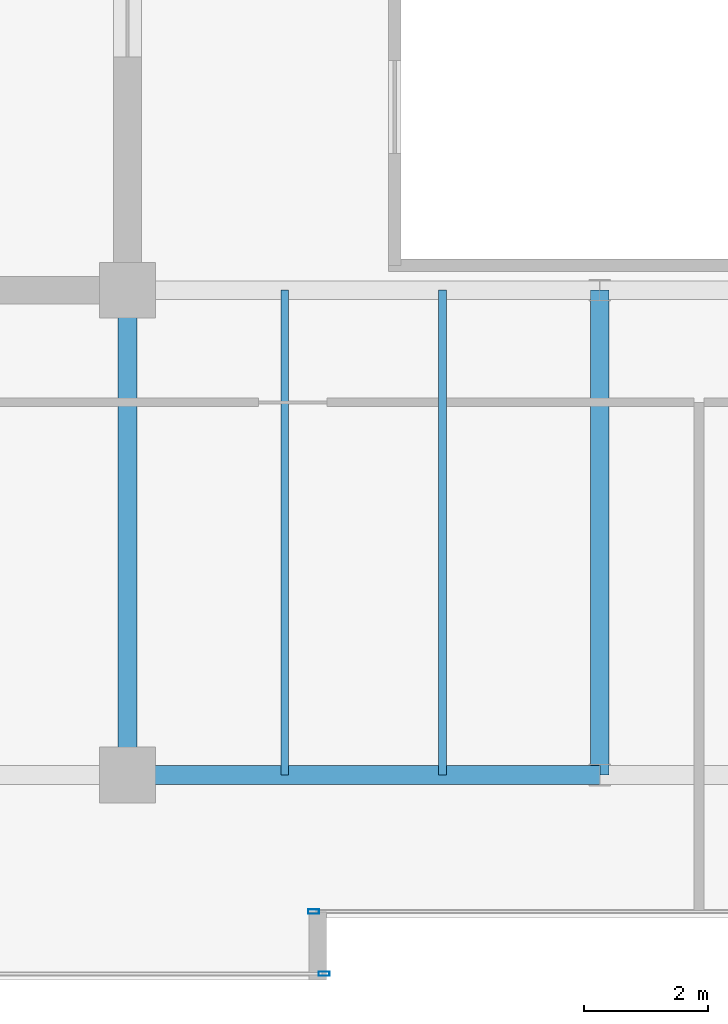
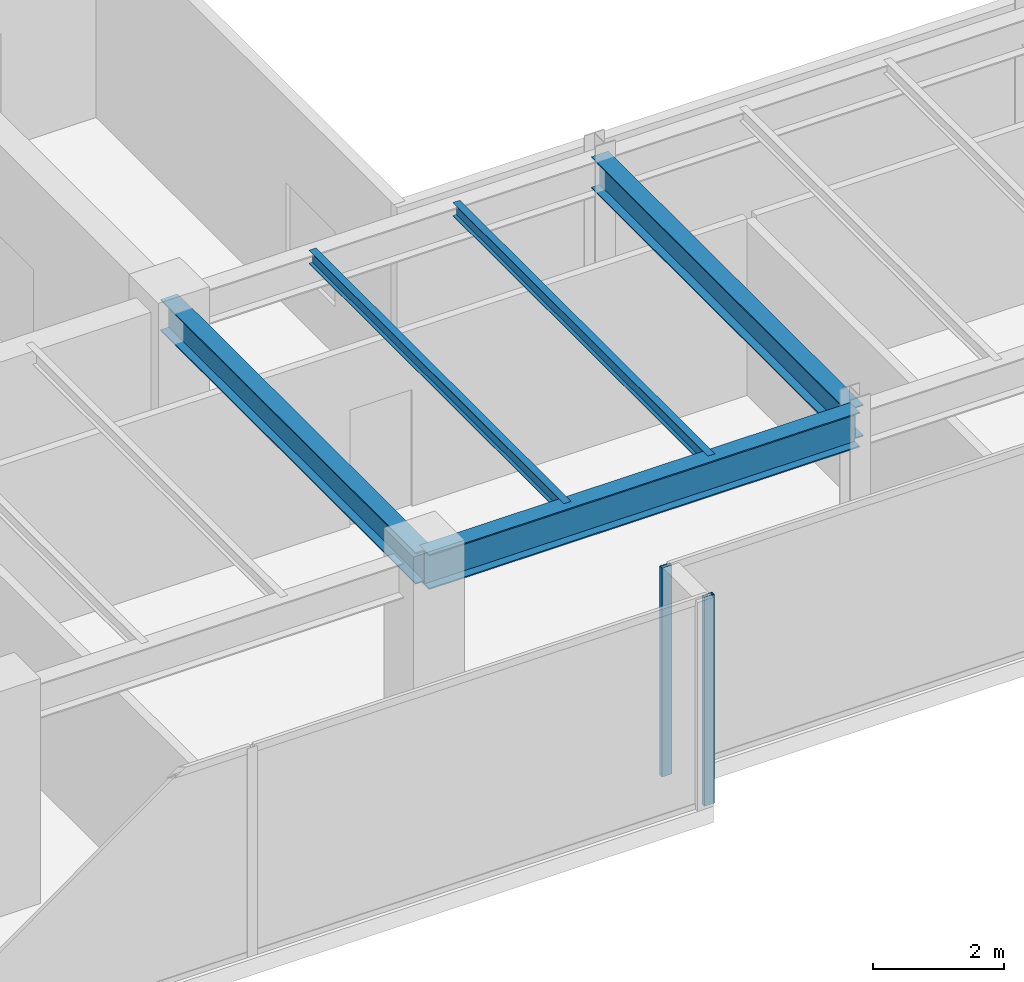
# One storey, part 7 of 31: 5 beams, 2 members, 2 elements without a shape of their own.
"""IFC4 building model written with IfcOpenShell, lengths in metres."""

from ifc_helpers import new_model, si_unit, direction, frame, origin, origin_2d, place, context, subcontext, project, spatial, hollow_rectangle, i_section, extrude, source, transform, mapped, material, layer, layer_set, material_profile, profile_set, type_object, type_shapes, element, aggregate, save


model = new_model("IFC4")

# Units and contexts
model_context = context("Model", 3, precision=1e-05, world=origin(), true_north=direction((0.0, 1.0)))
body_context = subcontext(model_context, "Body", "Model", "MODEL_VIEW")
ifc_project = project(units=[si_unit("LENGTHUNIT", "METRE"), si_unit("AREAUNIT", "SQUARE_METRE"), si_unit("VOLUMEUNIT", "CUBIC_METRE"), si_unit("PLANEANGLEUNIT", "RADIAN"), si_unit("MASSUNIT", "GRAM", prefix="KILO")], contexts=[model_context])

# Site, building, storey
site_placement = place(None, origin())
site = spatial("IfcSite", under=ifc_project, at=site_placement, CompositionType="ELEMENT")
building_placement = place(site_placement, origin())
building = spatial("IfcBuilding", under=site, at=building_placement, Name="Haelvirn Gate Laboratories", CompositionType="ELEMENT")
storey_placement = place(building_placement, frame((0.0, 0.0, 318.60009765625)))
storey = spatial("IfcBuildingStorey", under=building, at=storey_placement, Name="L76", CompositionType="ELEMENT", Elevation=318.60009765625)

# Beams
ifc_material_1 = material(Name="Steel SM355", Category="steel")
ifc_material_profile_1 = material_profile(ifc_material_1, i_section(OverallWidth=0.300048828125, OverallDepth=0.587890625, WebThickness=0.011962890625, FlangeThickness=0.02001953125, at=origin_2d()), Name="H-588x300x12x20")
ifc_profile_set_1 = profile_set([ifc_material_profile_1], Name="Steel SM355")
beam_type_1 = type_object("IfcBeamType", Name="BM-G-588", PredefinedType="BEAM", material=ifc_profile_set_1)
shared_shape_1 = source(origin(), body_context, "Body", "SweptSolid", [
    extrude(i_section(OverallWidth=0.300048828125, OverallDepth=0.587890625, WebThickness=0.011962890625, FlangeThickness=0.02001953125, at=origin_2d()), origin(), (0.0, 0.0, 1.0), 7.800048828125),
])
type_shapes(beam_type_1, [shared_shape_1])
for number, where, z_axis, x_axis, name in (
    (1, (22.199951171875, 7.0, 3.60595703125), (0.0, 1.0, 0.0), (-1.0, 0.0, 0.0), "L76 Frame Girder X22.2 (7.0-14.8)"),
    (2, (29.800048828125, 7.0, 3.60595703125), (0.0, 1.0, 0.0), (-1.0, 0.0, 0.0), "L76 Frame Girder X29.8 (7.0-14.8)"),
):
    element("IfcBeam", number, at=place(storey_placement, frame(where, z_axis=z_axis, x_axis=x_axis)), inside=storey, type_object=beam_type_1, Name=name, PredefinedType="BEAM", context=body_context, shape_type="MappedRepresentation", body=[
        mapped(shared_shape_1, transform((0.0, 0.0, 0.0), scale=1.0)),
    ])
ifc_material_profile_2 = material_profile(ifc_material_1, i_section(OverallWidth=0.300048828125, OverallDepth=0.64990234375, WebThickness=0.012939453125, FlangeThickness=0.02197265625, at=origin_2d()), Name="H-650x300x13x22")
ifc_profile_set_2 = profile_set([ifc_material_profile_2], Name="Steel SM355")
beam_type_2 = type_object("IfcBeamType", Name="BM-G-650", PredefinedType="BEAM", material=ifc_profile_set_2)
shared_shape_2 = source(origin(), body_context, "Body", "SweptSolid", [
    extrude(i_section(OverallWidth=0.300048828125, OverallDepth=0.64990234375, WebThickness=0.012939453125, FlangeThickness=0.02197265625, at=origin_2d()), origin(), (0.0, 0.0, 1.0), 7.60009765625),
])
type_shapes(beam_type_2, [shared_shape_2])
beam_placement = place(storey_placement, frame((22.199951171875, 7.0, 3.574951171875), z_axis=(1.0, 0.0, 0.0), x_axis=(0.0, 1.0, 0.0)))
element("IfcBeam", 3, at=beam_placement, inside=storey, type_object=beam_type_2, Name="L76 Primary Girder Y7.0 (22.2-29.8)", PredefinedType="BEAM", context=body_context, shape_type="MappedRepresentation", body=[
    mapped(shared_shape_2, transform((0.0, 0.0, 0.0), scale=1.0)),
])
ifc_material_profile_3 = material_profile(ifc_material_1, i_section(OverallWidth=0.125, OverallDepth=0.25, WebThickness=0.006103515625, FlangeThickness=0.009033203125, at=origin_2d()), Name="H-250x125x6x9")
ifc_profile_set_3 = profile_set([ifc_material_profile_3], Name="Steel SM355")
beam_type_3 = type_object("IfcBeamType", Name="BM-J-250", PredefinedType="JOIST", material=ifc_profile_set_3)
shared_shape_3 = source(origin(), body_context, "Body", "SweptSolid", [
    extrude(i_section(OverallWidth=0.125, OverallDepth=0.25, WebThickness=0.006103515625, FlangeThickness=0.009033203125, at=origin_2d()), origin(), (0.0, 0.0, 1.0), 7.800048828125),
])
type_shapes(beam_type_3, [shared_shape_3])
for number, where, z_axis, x_axis, name in (
    (4, (24.72998046875, 7.0, 3.77490234375), (0.0, 1.0, 0.0), (-1.0, 0.0, 0.0), "L76 Composite Lab Joist South X24.73"),
    (5, (27.27001953125, 7.0, 3.77490234375), (0.0, 1.0, 0.0), (-1.0, 0.0, 0.0), "L76 Composite Lab Joist South X27.27"),
):
    element("IfcBeam", number, at=place(storey_placement, frame(where, z_axis=z_axis, x_axis=x_axis)), inside=storey, type_object=beam_type_3, Name=name, PredefinedType="JOIST", context=body_context, shape_type="MappedRepresentation", body=[
        mapped(shared_shape_3, transform((0.0, 0.0, 0.0), scale=1.0)),
    ])

# Curtain wall, member
ifc_material_2 = material(Name="Anodised bronze unitised aluminium & triple low-E glass", Category="aluminium")
ifc_layer = layer(ifc_material_2, 0.176025390625, Name="CW-SYS-4")
ifc_layer_set = layer_set([ifc_layer], Name="Anodised bronze unitised aluminium & triple low-E glass")
curtain_wall_type = type_object("IfcCurtainWallType", Name="CW-SYS-4", PredefinedType="NOTDEFINED", material=ifc_layer_set)
curtain_wall_1_placement = place(storey_placement, origin())
curtain_wall_1 = element("IfcCurtainWall", 6, at=curtain_wall_1_placement, inside=storey, type_object=curtain_wall_type, Name="L76 Unitised Curtain Wall CW-L76-P0-E00-1", PredefinedType="NOTDEFINED")
ifc_material_3 = material(Name="Extruded aluminium 6063-T6 (anodised bronze)", Category="aluminium")
ifc_material_profile_4 = material_profile(ifc_material_3, hollow_rectangle(XDim=0.070068359375, YDim=0.179931640625, WallThickness=0.0048828125, at=origin_2d()), Name="CWM-180x70x5")
ifc_profile_set_4 = profile_set([ifc_material_profile_4], Name="Extruded aluminium 6063-T6 (anodised bronze)")
member_type = type_object("IfcMemberType", Name="CWM-T180", PredefinedType="MULLION", material=ifc_profile_set_4)
shared_shape_4 = source(origin(), body_context, "Body", "SweptSolid", [
    extrude(hollow_rectangle(XDim=0.070068359375, YDim=0.179931640625, WallThickness=0.0048828125, at=origin_2d()), origin(), (0.0, 0.0, 1.0), 3.89990234375),
])
type_shapes(member_type, [shared_shape_4])
member_1_placement = place(storey_placement, frame((25.364990234375, 3.800048828125, 0.0), z_axis=(0.0, 0.0, 1.0), x_axis=(0.0, 1.0, 0.0)))
member_1 = element("IfcMember", 7, at=member_1_placement, type_object=member_type, Name="CW4 mullion 3", PredefinedType="MULLION", context=body_context, shape_type="MappedRepresentation", body=[
    mapped(shared_shape_4, transform((0.0, 0.0, 0.0), scale=1.0)),
])
aggregate(curtain_wall_1, [member_1])

curtain_wall_2_placement = place(storey_placement, origin())
curtain_wall_2 = element("IfcCurtainWall", 8, at=curtain_wall_2_placement, inside=storey, type_object=curtain_wall_type, Name="L76 Unitised Curtain Wall CW-L76-P0-E02-1", PredefinedType="NOTDEFINED")
member_2_placement = place(storey_placement, frame((25.195068359375, 4.800048828125, 0.0), z_axis=(0.0, 0.0, 1.0), x_axis=(0.0, 1.0, 0.0)))
member_2 = element("IfcMember", 9, at=member_2_placement, type_object=member_type, Name="CW4 mullion 1", PredefinedType="MULLION", context=body_context, shape_type="MappedRepresentation", body=[
    mapped(shared_shape_4, transform((0.0, 0.0, 0.0), scale=1.0)),
])
aggregate(curtain_wall_2, [member_2])

save(model, "model.ifc")
